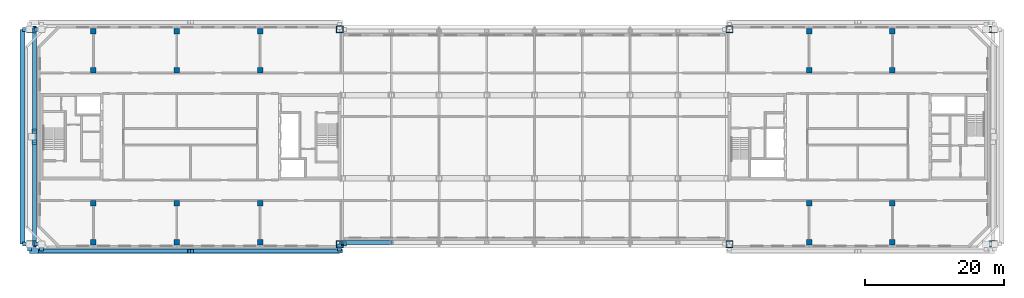
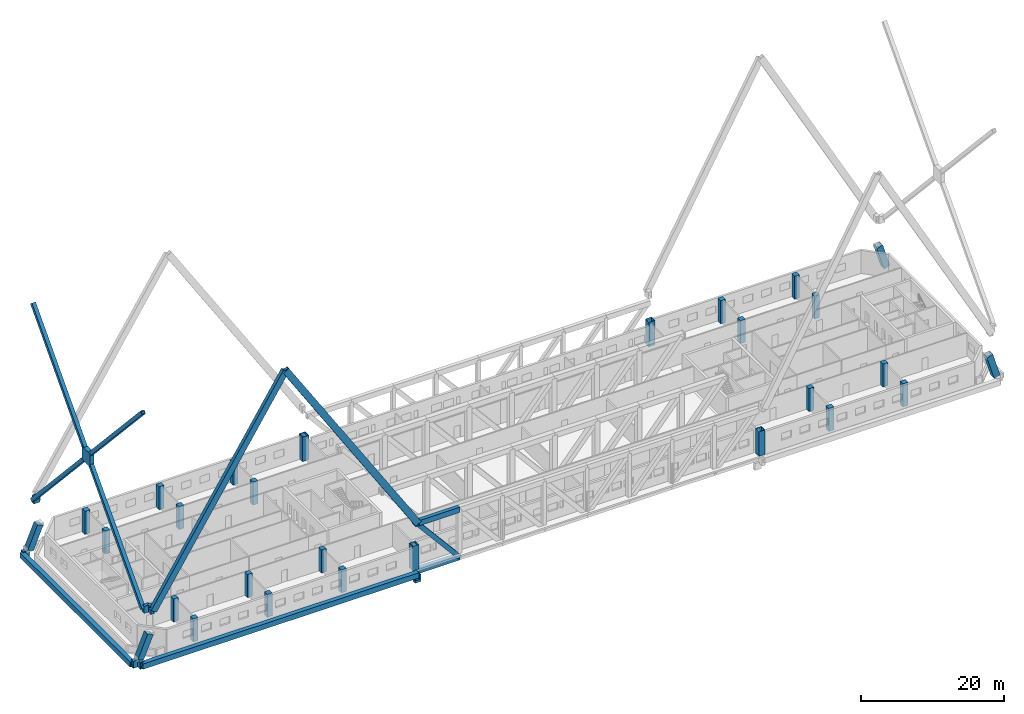
# One storey, part 1 of 17: 28 columns, 13 beams, 8 members.
"""IFC4 building model written with IfcOpenShell, lengths in metres."""

from ifc_helpers import new_model, si_unit, direction, frame, origin, origin_2d, place, context, subcontext, project, spatial, rectangle, hollow_rectangle, extrude, material, material_profile, profile_set, type_object, element, save


model = new_model("IFC4")

# Units and contexts
model_context = context("Model", 3, precision=1e-05, world=origin(), true_north=direction((0.0, 1.0)))
body_context = subcontext(model_context, "Body", "Model", "MODEL_VIEW")
ifc_project = project(units=[si_unit("LENGTHUNIT", "METRE"), si_unit("AREAUNIT", "SQUARE_METRE"), si_unit("VOLUMEUNIT", "CUBIC_METRE"), si_unit("PLANEANGLEUNIT", "RADIAN"), si_unit("MASSUNIT", "GRAM", prefix="KILO")], contexts=[model_context])

# Site, building, storey
site_placement = place(None, origin())
site = spatial("IfcSite", under=ifc_project, at=site_placement, CompositionType="ELEMENT")
building_placement = place(site_placement, origin())
building = spatial("IfcBuilding", under=site, at=building_placement, Name="Tuart Gate Housing", CompositionType="ELEMENT")
storey_placement = place(building_placement, frame((0.0, 0.0, 194.39990234375)))
storey = spatial("IfcBuildingStorey", under=building, at=storey_placement, Name="L55", CompositionType="ELEMENT", Elevation=194.39990234375)

# Columns
ifc_material_1 = material(Name="Steel Grade 350", Category="steel")
ifc_material_profile_1 = material_profile(ifc_material_1, hollow_rectangle(XDim=1.0, YDim=1.0, WallThickness=0.054931640625, at=origin_2d()), Name="BOX 1000x1000x55")
ifc_profile_set_1 = profile_set([ifc_material_profile_1], Name="Steel Grade 350")
column_type_1 = type_object("IfcColumnType", Name="Mega column BOX 1000x1000x55 (4.1-4.5 m)", PredefinedType="COLUMN", material=ifc_profile_set_1)
column_1_placement = place(storey_placement, frame((30.880126953125, 54.550048828125, 0.1923828125), z_axis=(0.384632160448, 0.0, 0.923069932968), x_axis=(0.0, 1.0, 0.0)))
element("IfcColumn", 1, at=column_1_placement, inside=storey, type_object=column_type_1, Name="Mega column A south-west L55", PredefinedType="COLUMN", context=body_context, shape_type="SweptSolid", body=[
    extrude(hollow_rectangle(XDim=1.0, YDim=1.0, WallThickness=0.054931640625, at=origin_2d()), origin(), (0.0, 0.0, 1.0), 4.13330078125),
])
for number, where, z_axis, x_axis, name in (
    (2, (75.449951171875, 54.550048828125, 0.0), (0.0, 0.0, 1.0), (1.0, 0.0, 0.0), "Mega column A south-east L55"),
    (3, (75.449951171875, 85.449951171875, 0.0), (0.0, 0.0, 1.0), (1.0, 0.0, 0.0), "Mega column A north-east L55"),
):
    element("IfcColumn", number, at=place(storey_placement, frame(where, z_axis=z_axis, x_axis=x_axis)), inside=storey, type_object=column_type_1, Name=name, PredefinedType="COLUMN", context=body_context, shape_type="SweptSolid", body=[
        extrude(hollow_rectangle(XDim=1.0, YDim=1.0, WallThickness=0.054931640625, at=origin_2d()), origin(), (0.0, 0.0, 1.0), 4.2001953125),
    ])
column_2_placement = place(storey_placement, frame((30.880126953125, 85.449951171875, 0.1923828125), z_axis=(0.384632160448, 0.0, 0.923069932968), x_axis=(0.0, 1.0, 0.0)))
element("IfcColumn", 4, at=column_2_placement, inside=storey, type_object=column_type_1, Name="Mega column A north-west L55", PredefinedType="COLUMN", context=body_context, shape_type="SweptSolid", body=[
    extrude(hollow_rectangle(XDim=1.0, YDim=1.0, WallThickness=0.054931640625, at=origin_2d()), origin(), (0.0, 0.0, 1.0), 4.13330078125),
])
column_3_placement = place(storey_placement, frame((131.550048828125, 54.550048828125, 0.0), z_axis=(0.0, 0.0, 1.0), x_axis=(1.0, 0.0, 0.0)))
element("IfcColumn", 5, at=column_3_placement, inside=storey, type_object=column_type_1, Name="Mega column B south-west L55", PredefinedType="COLUMN", context=body_context, shape_type="SweptSolid", body=[
    extrude(hollow_rectangle(XDim=1.0, YDim=1.0, WallThickness=0.054931640625, at=origin_2d()), origin(), (0.0, 0.0, 1.0), 4.2001953125),
])
for number, where, z_axis, x_axis, name in (
    (6, (169.65771484375, 54.550048828125, 0.142578125), (-0.285274510918, 0.0, 0.95844585315), (0.0, -1.0, 0.0), "Mega column B south-east L55"),
    (7, (169.65771484375, 85.449951171875, 0.142578125), (-0.285274510918, 0.0, 0.95844585315), (0.0, -1.0, 0.0), "Mega column B north-east L55"),
):
    element("IfcColumn", number, at=place(storey_placement, frame(where, z_axis=z_axis, x_axis=x_axis)), inside=storey, type_object=column_type_1, Name=name, PredefinedType="COLUMN", context=body_context, shape_type="SweptSolid", body=[
        extrude(hollow_rectangle(XDim=1.0, YDim=1.0, WallThickness=0.054931640625, at=origin_2d()), origin(), (0.0, 0.0, 1.0), 4.084716796875),
    ])
column_4_placement = place(storey_placement, frame((131.550048828125, 85.449951171875, 0.0), z_axis=(0.0, 0.0, 1.0), x_axis=(1.0, 0.0, 0.0)))
element("IfcColumn", 8, at=column_4_placement, inside=storey, type_object=column_type_1, Name="Mega column B north-west L55", PredefinedType="COLUMN", context=body_context, shape_type="SweptSolid", body=[
    extrude(hollow_rectangle(XDim=1.0, YDim=1.0, WallThickness=0.054931640625, at=origin_2d()), origin(), (0.0, 0.0, 1.0), 4.2001953125),
])
ifc_material_2 = material(Name="Concrete C50", Category="concrete")
ifc_material_profile_2 = material_profile(ifc_material_2, rectangle(XDim=0.800048828125, YDim=0.800048828125, at=origin_2d()), Name="RC column 800 x 800")
ifc_profile_set_2 = profile_set([ifc_material_profile_2], Name="Concrete C50")
column_type_2 = type_object("IfcColumnType", Name="RC column 800 x 800", PredefinedType="COLUMN", material=ifc_profile_set_2)
for number, where, z_axis, x_axis, name in (
    (9, (40.0, 54.800048828125, 0.0), (0.0, 0.0, 1.0), (1.0, 0.0, 0.0), "RC column 9 L55"),
    (10, (40.0, 60.39990234375, 0.0), (0.0, 0.0, 1.0), (1.0, 0.0, 0.0), "RC column 12 L55"),
    (11, (40.0, 79.60009765625, 0.0), (0.0, 0.0, 1.0), (1.0, 0.0, 0.0), "RC column 13 L55"),
    (12, (40.0, 85.199951171875, 0.0), (0.0, 0.0, 1.0), (1.0, 0.0, 0.0), "RC column 16 L55"),
    (13, (52.0, 54.800048828125, 0.0), (0.0, 0.0, 1.0), (1.0, 0.0, 0.0), "RC column 17 L55"),
    (14, (52.0, 60.39990234375, 0.0), (0.0, 0.0, 1.0), (1.0, 0.0, 0.0), "RC column 18 L55"),
    (15, (52.0, 79.60009765625, 0.0), (0.0, 0.0, 1.0), (1.0, 0.0, 0.0), "RC column 19 L55"),
    (16, (52.0, 85.199951171875, 0.0), (0.0, 0.0, 1.0), (1.0, 0.0, 0.0), "RC column 20 L55"),
    (17, (64.0, 54.800048828125, 0.0), (0.0, 0.0, 1.0), (1.0, 0.0, 0.0), "RC column 21 L55"),
    (18, (64.0, 60.39990234375, 0.0), (0.0, 0.0, 1.0), (1.0, 0.0, 0.0), "RC column 22 L55"),
    (19, (64.0, 79.60009765625, 0.0), (0.0, 0.0, 1.0), (1.0, 0.0, 0.0), "RC column 23 L55"),
    (20, (64.0, 85.199951171875, 0.0), (0.0, 0.0, 1.0), (1.0, 0.0, 0.0), "RC column 24 L55"),
    (21, (143.0, 54.800048828125, 0.0), (0.0, 0.0, 1.0), (1.0, 0.0, 0.0), "RC column 25 L55"),
    (22, (143.0, 60.39990234375, 0.0), (0.0, 0.0, 1.0), (1.0, 0.0, 0.0), "RC column 26 L55"),
    (23, (143.0, 79.60009765625, 0.0), (0.0, 0.0, 1.0), (1.0, 0.0, 0.0), "RC column 27 L55"),
    (24, (143.0, 85.199951171875, 0.0), (0.0, 0.0, 1.0), (1.0, 0.0, 0.0), "RC column 28 L55"),
    (25, (155.0, 54.800048828125, 0.0), (0.0, 0.0, 1.0), (1.0, 0.0, 0.0), "RC column 29 L55"),
    (26, (155.0, 60.39990234375, 0.0), (0.0, 0.0, 1.0), (1.0, 0.0, 0.0), "RC column 30 L55"),
    (27, (155.0, 79.60009765625, 0.0), (0.0, 0.0, 1.0), (1.0, 0.0, 0.0), "RC column 31 L55"),
    (28, (155.0, 85.199951171875, 0.0), (0.0, 0.0, 1.0), (1.0, 0.0, 0.0), "RC column 32 L55"),
):
    element("IfcColumn", number, at=place(storey_placement, frame(where, z_axis=z_axis, x_axis=x_axis)), inside=storey, type_object=column_type_2, Name=name, PredefinedType="COLUMN", context=body_context, shape_type="SweptSolid", body=[
        extrude(rectangle(XDim=0.800048828125, YDim=0.800048828125, at=origin_2d()), origin(), (0.0, 0.0, 1.0), 3.9501953125),
    ])

# Member
ifc_material_3 = material(Name="Steel Grade 350", Category="steel")
ifc_material_profile_3 = material_profile(ifc_material_3, rectangle(XDim=2.18408203125, YDim=2.300048828125, at=origin_2d()), Name="Brace node plate 2184 x 2300")
ifc_profile_set_3 = profile_set([ifc_material_profile_3], Name="Steel Grade 350")
member_type_1 = type_object("IfcMemberType", Name="Brace node plate 2184 x 2300", PredefinedType="PLATE", material=ifc_profile_set_3)
member_1_placement = place(storey_placement, frame((31.205078125, 70.0, 25.25), z_axis=(1.0, 0.0, 0.0), x_axis=(0.0, 1.0, 0.0)))
element("IfcMember", 29, at=member_1_placement, inside=storey, type_object=member_type_1, Name="Brace node A zone 8 west", PredefinedType="PLATE", context=body_context, shape_type="SweptSolid", body=[
    extrude(rectangle(XDim=2.18408203125, YDim=2.300048828125, at=origin_2d()), origin(), (0.0, 0.0, 1.0), 0.68994140625),
])

# Beams
ifc_material_4 = material(Name="Steel Grade 350", Category="steel")
ifc_material_profile_4 = material_profile(ifc_material_4, hollow_rectangle(XDim=0.60009765625, YDim=1.199951171875, WallThickness=0.0400390625, at=origin_2d()), Name="BOX 1200x600x40")
ifc_profile_set_4 = profile_set([ifc_material_profile_4], Name="Steel Grade 350")
beam_type_1 = type_object("IfcBeamType", Name="Brace shoe BOX 1200x600x40", PredefinedType="BEAM", material=ifc_profile_set_4)
for number, where, z_axis, x_axis, name in (
    (30, (30.800048828125, 54.550048828125, -0.39990234375), (0.0, -1.0, 0.0), (1.0, 0.0, 0.0), "Mega tie beam A node 7 south shoe 0 L55"),
    (31, (75.449951171875, 54.550048828125, -0.849853515625), (0.0, -1.0, 0.0), (1.0, 0.0, 0.0), "Mega tie beam A node 7 south shoe 1 L55"),
    (32, (30.800048828125, 54.550048828125, -0.39990234375), (-1.0, 0.0, 0.0), (0.0, -1.0, 0.0), "Mega tie beam A node 7 west shoe 0 L55"),
    (33, (30.800048828125, 85.449951171875, -0.39990234375), (-1.0, 0.0, 0.0), (0.0, -1.0, 0.0), "Mega tie beam A node 7 west shoe 1 L55"),
    (34, (75.449951171875, 54.550048828125, -1.7998046875), (1.0, 0.0, 0.0), (0.0, 1.0, 0.0), "Mega tie beam A node 7 east shoe 0 L55"),
    (35, (32.550048828125, 54.550048828125, 8.400146484375), (0.0, -1.0, 0.0), (1.0, 0.0, 0.0), "Mega brace shoe A zone 8 south chevron 1"),
    (36, (75.449951171875, 54.550048828125, 8.400146484375), (0.0, -1.0, 0.0), (1.0, 0.0, 0.0), "Mega brace shoe A zone 8 south chevron 2"),
    (37, (32.550048828125, 54.550048828125, 8.400146484375), (-1.0, 0.0, 0.0), (0.0, -1.0, 0.0), "Mega brace shoe A zone 8 west cross 1"),
    (38, (32.550048828125, 85.449951171875, 8.400146484375), (-1.0, 0.0, 0.0), (0.0, -1.0, 0.0), "Mega brace shoe A zone 8 west cross 2"),
):
    element("IfcBeam", number, at=place(storey_placement, frame(where, z_axis=z_axis, x_axis=x_axis)), inside=storey, type_object=beam_type_1, Name=name, PredefinedType="BEAM", context=body_context, shape_type="SweptSolid", body=[
        extrude(hollow_rectangle(XDim=0.60009765625, YDim=1.199951171875, WallThickness=0.0400390625, at=origin_2d()), origin(), (0.0, 0.0, 1.0), 1.0),
    ])

# Members
ifc_material_5 = material(Name="Steel Grade 350", Category="steel")
ifc_material_profile_5 = material_profile(ifc_material_5, hollow_rectangle(XDim=0.60009765625, YDim=1.050048828125, WallThickness=0.052001953125, at=origin_2d()), Name="BOX 1050x600x52")
ifc_profile_set_5 = profile_set([ifc_material_profile_5], Name="Steel Grade 350")
member_type_2 = type_object("IfcMemberType", Name="Mega brace BOX 1050x600x52", PredefinedType="BRACE", material=ifc_profile_set_5)
for number, where, z_axis, x_axis, name in (
    (39, (32.550048828125, 53.550048828125, 8.400146484375), (0.536956162423, 0.0, 0.843610146713), (0.0, 1.0, 0.0), "Mega brace A zone 8 south chevron 1"),
    (40, (75.449951171875, 53.550048828125, 8.400146484375), (-0.536956162423, 0.0, 0.843610146713), (0.0, -1.0, 0.0), "Mega brace A zone 8 south chevron 2"),
):
    element("IfcMember", number, at=place(storey_placement, frame(where, z_axis=z_axis, x_axis=x_axis)), inside=storey, type_object=member_type_2, Name=name, PredefinedType="BRACE", context=body_context, shape_type="SweptSolid", body=[
        extrude(hollow_rectangle(XDim=0.60009765625, YDim=1.050048828125, WallThickness=0.052001953125, at=origin_2d()), origin(), (0.0, 0.0, 1.0), 39.947265625),
    ])
ifc_material_6 = material(Name="Steel Grade 350", Category="steel")
ifc_material_profile_6 = material_profile(ifc_material_6, hollow_rectangle(XDim=0.60009765625, YDim=0.60009765625, WallThickness=0.030029296875, at=origin_2d()), Name="BOX 600x600x30")
ifc_profile_set_6 = profile_set([ifc_material_profile_6], Name="Steel Grade 350")
member_type_3 = type_object("IfcMemberType", Name="Mega brace BOX 600x600x30", PredefinedType="BRACE", material=ifc_profile_set_6)
for number, where, z_axis, x_axis, name in (
    (41, (31.550048828125, 54.550048828125, 8.400146484375), (0.0, 0.675824021585, 0.737063017556), (-1.0, 0.0, 0.0), "Mega brace A zone 8 west cross 1 a"),
    (42, (31.550048828125, 70.64208984375, 25.9501953125), (0.0, 0.675818471271, 0.737068106682), (-1.0, 0.0, 0.0), "Mega brace A zone 8 west cross 1 b"),
    (43, (31.550048828125, 85.449951171875, 8.400146484375), (0.0, -0.675824021585, 0.737063017556), (1.0, 0.0, 0.0), "Mega brace A zone 8 west cross 2 a"),
    (44, (31.550048828125, 69.35791015625, 25.9501953125), (0.0, -0.675818471271, 0.737068106682), (1.0, 0.0, 0.0), "Mega brace A zone 8 west cross 2 b"),
):
    element("IfcMember", number, at=place(storey_placement, frame(where, z_axis=z_axis, x_axis=x_axis)), inside=storey, type_object=member_type_3, Name=name, PredefinedType="BRACE", context=body_context, shape_type="SweptSolid", body=[
        extrude(hollow_rectangle(XDim=0.60009765625, YDim=0.60009765625, WallThickness=0.030029296875, at=origin_2d()), origin(), (0.0, 0.0, 1.0), 21.910888671875),
    ])

# Beams
ifc_material_7 = material(Name="Steel Grade 350", Category="steel")
ifc_material_profile_7 = material_profile(ifc_material_7, hollow_rectangle(XDim=0.699951171875, YDim=0.89990234375, WallThickness=0.0400390625, at=origin_2d()), Name="BOX 900x700x40")
ifc_profile_set_7 = profile_set([ifc_material_profile_7], Name="Steel Grade 350")
beam_type_2 = type_object("IfcBeamType", Name="Tie beam BOX 900x700x40", PredefinedType="BEAM", material=ifc_profile_set_7)
beam_1_placement = place(storey_placement, frame((29.800048828125, 54.550048828125, -0.39990234375), z_axis=(0.0, 1.0, 0.0), x_axis=(-1.0, 0.0, 0.0)))
element("IfcBeam", 45, at=beam_1_placement, inside=storey, type_object=beam_type_2, Name="Mega tie beam A node 7 west L55", PredefinedType="BEAM", context=body_context, shape_type="SweptSolid", body=[
    extrude(hollow_rectangle(XDim=0.699951171875, YDim=0.89990234375, WallThickness=0.0400390625, at=origin_2d()), origin(), (0.0, 0.0, 1.0), 30.89990234375),
])
ifc_material_8 = material(Name="Steel Grade 350", Category="steel")
ifc_material_profile_8 = material_profile(ifc_material_8, hollow_rectangle(XDim=0.699951171875, YDim=0.89990234375, WallThickness=0.0400390625, at=origin_2d()), Name="BOX 900x700x40")
ifc_profile_set_8 = profile_set([ifc_material_profile_8], Name="Steel Grade 350")
beam_type_3 = type_object("IfcBeamType", Name="Tie beam BOX 900x700x40 (40.6-51.7 m)", PredefinedType="BEAM", material=ifc_profile_set_8)
beam_2_placement = place(storey_placement, frame((30.800048828125, 53.550048828125, -0.39990234375), z_axis=(1.0, 0.0, 0.0), x_axis=(0.0, 1.0, 0.0)))
element("IfcBeam", 46, at=beam_2_placement, inside=storey, type_object=beam_type_3, Name="Mega tie beam A node 7 south L55", PredefinedType="BEAM", context=body_context, shape_type="SweptSolid", body=[
    extrude(hollow_rectangle(XDim=0.699951171875, YDim=0.89990234375, WallThickness=0.0400390625, at=origin_2d()), origin(), (0.0, 0.0, 1.0), 44.64990234375),
])
ifc_material_9 = material(Name="Steel Grade 350", Category="steel")
ifc_material_profile_9 = material_profile(ifc_material_9, hollow_rectangle(XDim=0.60009765625, YDim=0.89990234375, WallThickness=0.050048828125, at=origin_2d()), Name="BOX 900x600x50")
ifc_profile_set_9 = profile_set([ifc_material_profile_9], Name="Steel Grade 350")
beam_type_4 = type_object("IfcBeamType", Name="Transfer truss chord BOX 900x600x50", PredefinedType="BEAM", material=ifc_profile_set_9)
for number, where, z_axis, x_axis, name in (
    (47, (75.699951171875, 54.800048828125, -0.699951171875), (1.0, 0.0, 0.0), (0.0, 1.0, 0.0), "Transfer truss line 1 bottom chord 0"),
    (48, (75.699951171875, 54.800048828125, 7.4501953125), (1.0, 0.0, 0.0), (0.0, 1.0, 0.0), "Transfer truss line 1 top chord 0"),
):
    element("IfcBeam", number, at=place(storey_placement, frame(where, z_axis=z_axis, x_axis=x_axis)), inside=storey, type_object=beam_type_4, Name=name, PredefinedType="BEAM", context=body_context, shape_type="SweptSolid", body=[
        extrude(hollow_rectangle(XDim=0.60009765625, YDim=0.89990234375, WallThickness=0.050048828125, at=origin_2d()), origin(), (0.0, 0.0, 1.0), 7.175048828125),
    ])

# Member
ifc_material_10 = material(Name="Steel Grade 350", Category="steel")
ifc_material_profile_10 = material_profile(ifc_material_10, hollow_rectangle(XDim=0.60009765625, YDim=0.699951171875, WallThickness=0.0400390625, at=origin_2d()), Name="BOX 700x600x40")
ifc_profile_set_10 = profile_set([ifc_material_profile_10], Name="Steel Grade 350")
member_type_4 = type_object("IfcMemberType", Name="Transfer truss diagonal BOX 700x600x40", PredefinedType="BRACE", material=ifc_profile_set_10)
member_2_placement = place(storey_placement, frame((76.0, 54.800048828125, 7.4501953125), z_axis=(0.644778562941, 0.0, -0.764369416429), x_axis=(0.0, 1.0, 0.0)))
element("IfcMember", 49, at=member_2_placement, inside=storey, type_object=member_type_4, Name="Transfer truss line 1 diagonal 0", PredefinedType="BRACE", context=body_context, shape_type="SweptSolid", body=[
    extrude(hollow_rectangle(XDim=0.60009765625, YDim=0.699951171875, WallThickness=0.0400390625, at=origin_2d()), origin(), (0.0, 0.0, 1.0), 10.66259765625),
])

save(model, "model.ifc")
